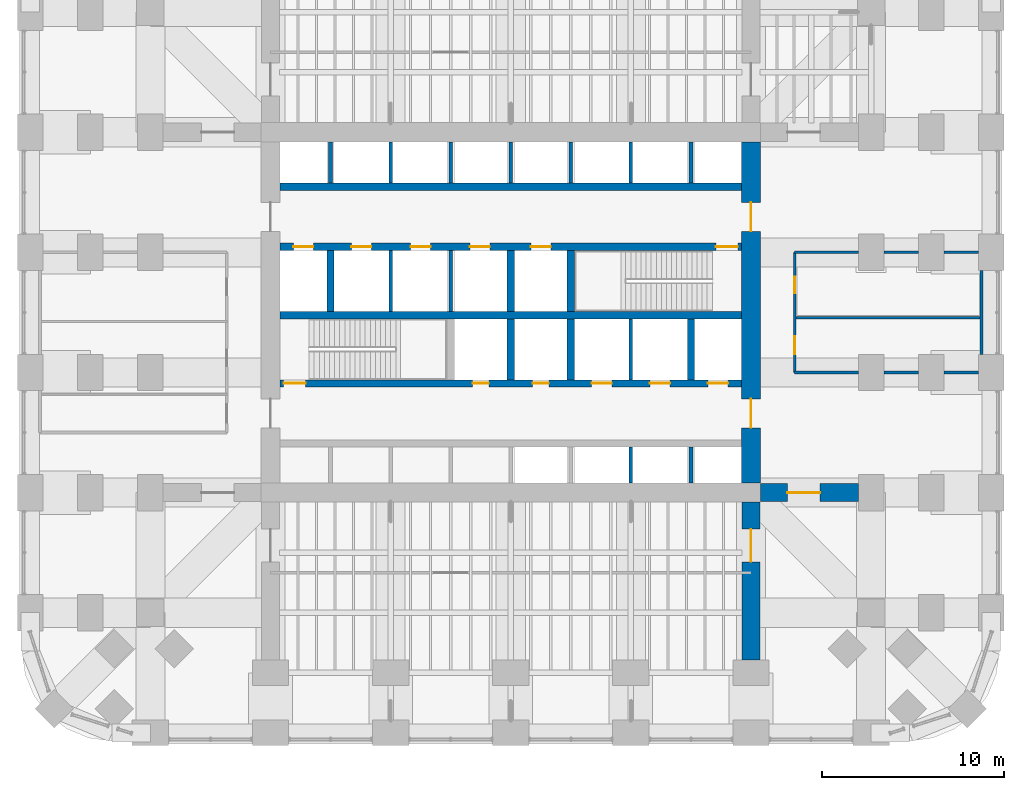
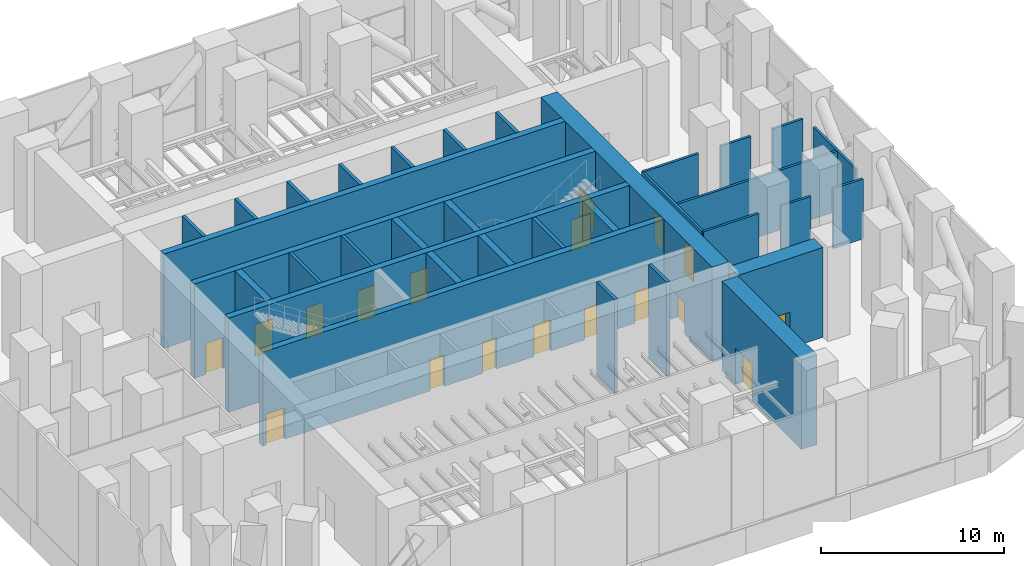
# One storey, part 14 of 17: 34 walls, 18 doors, 18 openings.
"""IFC4 building model written with IfcOpenShell, lengths in metres."""

from ifc_helpers import new_model, si_unit, direction, frame, frame_2d, origin, place, context, subcontext, project, spatial, rectangle, extrude, material, layer, layer_set, type_object, element, fill, save


model = new_model("IFC4")

# Units and contexts
model_context = context("Model", 3, precision=1e-05, world=origin(), true_north=direction((0.0, 1.0)))
body_context = subcontext(model_context, "Body", "Model", "MODEL_VIEW")
ifc_project = project(units=[si_unit("LENGTHUNIT", "METRE"), si_unit("AREAUNIT", "SQUARE_METRE"), si_unit("VOLUMEUNIT", "CUBIC_METRE"), si_unit("PLANEANGLEUNIT", "RADIAN"), si_unit("MASSUNIT", "GRAM", prefix="KILO")], contexts=[model_context])

# Site, building, storey
site_placement = place(None, origin())
site = spatial("IfcSite", under=ifc_project, at=site_placement, CompositionType="ELEMENT")
building_placement = place(site_placement, origin())
building = spatial("IfcBuilding", under=site, at=building_placement, Name="Cobogo Forest Laboratory Tower", CompositionType="ELEMENT")
storey_placement = place(building_placement, frame((0.0, 0.0, 75.89990234375)))
storey = spatial("IfcBuildingStorey", under=building, at=storey_placement, Name="L17", CompositionType="ELEMENT", Elevation=75.89990234375)

# Wall, openings, doors
ifc_material_1 = material(Name="Concrete HA-50 (C50/60)", Category="concrete")
ifc_layer_1 = layer(ifc_material_1, 0.39990234375)
ifc_layer_set_1 = layer_set([ifc_layer_1], Name="CI400 core inner wall 400")
wall_type_1 = type_object("IfcWallType", Name="CI400 core inner wall 400", PredefinedType="SHEAR", material=ifc_layer_set_1)
wall_1_placement = place(storey_placement, frame((13.72509765625, 19.199951171875, 0.0), z_axis=(0.0, 0.0, 1.0), x_axis=(1.0, 0.0, 0.0)))
wall_1 = element("IfcWall", 1, at=wall_1_placement, inside=storey, type_object=wall_type_1, Name="Core wall CI-19.2 L17", PredefinedType="SHEAR", context=body_context, shape_type="SweptSolid", body=[
    extrude(rectangle(XDim=25.349853515625, YDim=0.39990234375, at=frame_2d((12.6748046875, 0.0))), origin(), (0.0, 0.0, 1.0), 6.300048828125),
])
opening_1_placement = place(wall_1_placement, frame((10.574951171875, 0.0, 0.0)))
opening_1 = element("IfcOpeningElement", 2, at=opening_1_placement, cuts=wall_1, Name="Opening L17-D10", PredefinedType="OPENING", context=body_context, shape_type="SweptSolid", body=[
    extrude(rectangle(XDim=0.89990234375, YDim=2.10009765625, at=frame_2d((0.449951171875, 1.050048828125))), frame((0.0, 0.2099609375, 0.0), z_axis=(0.0, -1.0, 0.0), x_axis=(1.0, 0.0, 0.0)), (0.0, 0.0, 1.0), 0.419921875),
])
opening_2_placement = place(wall_1_placement, frame((13.875, 0.0, 0.0)))
opening_2 = element("IfcOpeningElement", 3, at=opening_2_placement, cuts=wall_1, Name="Opening L17-D11", PredefinedType="OPENING", context=body_context, shape_type="SweptSolid", body=[
    extrude(rectangle(XDim=0.89990234375, YDim=2.10009765625, at=frame_2d((0.449951171875, 1.050048828125))), frame((0.0, 0.2099609375, 0.0), z_axis=(0.0, -1.0, 0.0), x_axis=(1.0, 0.0, 0.0)), (0.0, 0.0, 1.0), 0.419921875),
])
opening_3_placement = place(wall_1_placement, frame((0.199951171875, 0.0, 0.0)))
opening_3 = element("IfcOpeningElement", 4, at=opening_3_placement, cuts=wall_1, Name="Opening L17-D09", PredefinedType="OPENING", context=body_context, shape_type="SweptSolid", body=[
    extrude(rectangle(XDim=1.199951171875, YDim=2.10009765625, at=frame_2d((0.60009765625, 1.050048828125))), frame((0.0, 0.2099609375, 0.0), z_axis=(0.0, -1.0, 0.0), x_axis=(1.0, 0.0, 0.0)), (0.0, 0.0, 1.0), 0.419921875),
])
opening_4_placement = place(wall_1_placement, frame((23.512451171875, 0.0, 0.0)))
opening_4 = element("IfcOpeningElement", 5, at=opening_4_placement, cuts=wall_1, Name="Opening L17-LD-FL2", PredefinedType="OPENING", context=body_context, shape_type="SweptSolid", body=[
    extrude(rectangle(XDim=1.10009765625, YDim=2.10009765625, at=frame_2d((0.550048828125, 1.050048828125))), frame((0.0, 0.2099609375, 0.0), z_axis=(0.0, -1.0, 0.0), x_axis=(1.0, 0.0, 0.0)), (0.0, 0.0, 1.0), 0.419921875),
])
opening_5_placement = place(wall_1_placement, frame((17.125, 0.0, 0.0)))
opening_5 = element("IfcOpeningElement", 6, at=opening_5_placement, cuts=wall_1, Name="Opening L17-LD-LS1", PredefinedType="OPENING", context=body_context, shape_type="SweptSolid", body=[
    extrude(rectangle(XDim=1.10009765625, YDim=2.10009765625, at=frame_2d((0.550048828125, 1.050048828125))), frame((0.0, 0.2099609375, 0.0), z_axis=(0.0, -1.0, 0.0), x_axis=(1.0, 0.0, 0.0)), (0.0, 0.0, 1.0), 0.419921875),
])
opening_6_placement = place(wall_1_placement, frame((20.324951171875, 0.0, 0.0)))
opening_6 = element("IfcOpeningElement", 7, at=opening_6_placement, cuts=wall_1, Name="Opening L17-LD-LS2", PredefinedType="OPENING", context=body_context, shape_type="SweptSolid", body=[
    extrude(rectangle(XDim=1.10009765625, YDim=2.10009765625, at=frame_2d((0.550048828125, 1.050048828125))), frame((0.0, 0.2099609375, 0.0), z_axis=(0.0, -1.0, 0.0), x_axis=(1.0, 0.0, 0.0)), (0.0, 0.0, 1.0), 0.419921875),
])
ifc_material_2 = material(Name="Steel fire door", Category="steel")
door_type_1 = type_object("IfcDoorType", Name="DS1 protected stair door 1200 EI2 60", OperationType="SINGLE_SWING_LEFT", PredefinedType="DOOR", material=ifc_material_2)
door_1_placement = place(opening_3_placement, origin())
door_1 = element("IfcDoor", 8, at=door_1_placement, inside=storey, type_object=door_type_1, Name="Door L17-ST1", OperationType="SINGLE_SWING_LEFT", OverallHeight=2.10009765625, OverallWidth=1.199951171875, PredefinedType="DOOR", context=body_context, shape_type="SweptSolid", body=[
    extrude(rectangle(XDim=1.199951171875, YDim=2.10009765625, at=frame_2d((0.60009765625, 1.050048828125))), frame((0.0, 0.02490234375, 0.0), z_axis=(0.0, -1.0, 0.0), x_axis=(1.0, 0.0, 0.0)), (0.0, 0.0, 1.0), 0.050048828125),
])
fill(opening_3, door_1)
door_type_2 = type_object("IfcDoorType", Name="FD4 riser access door 900 EI2 60", OperationType="SINGLE_SWING_LEFT", PredefinedType="DOOR", material=ifc_material_2)
door_2_placement = place(opening_1_placement, origin())
door_2 = element("IfcDoor", 9, at=door_2_placement, inside=storey, type_object=door_type_2, Name="Door L17-R1", OperationType="SINGLE_SWING_LEFT", OverallHeight=2.10009765625, OverallWidth=0.89990234375, PredefinedType="DOOR", context=body_context, shape_type="SweptSolid", body=[
    extrude(rectangle(XDim=0.89990234375, YDim=2.10009765625, at=frame_2d((0.449951171875, 1.050048828125))), frame((0.0, 0.02490234375, 0.0), z_axis=(0.0, -1.0, 0.0), x_axis=(1.0, 0.0, 0.0)), (0.0, 0.0, 1.0), 0.050048828125),
])
fill(opening_1, door_2)
door_3_placement = place(opening_2_placement, origin())
door_3 = element("IfcDoor", 10, at=door_3_placement, inside=storey, type_object=door_type_2, Name="Door L17-R2", OperationType="SINGLE_SWING_RIGHT", OverallHeight=2.10009765625, OverallWidth=0.89990234375, PredefinedType="DOOR", context=body_context, shape_type="SweptSolid", body=[
    extrude(rectangle(XDim=0.89990234375, YDim=2.10009765625, at=frame_2d((0.449951171875, 1.050048828125))), frame((0.0, 0.02490234375, 0.0), z_axis=(0.0, -1.0, 0.0), x_axis=(1.0, 0.0, 0.0)), (0.0, 0.0, 1.0), 0.050048828125),
])
fill(opening_2, door_3)
ifc_material_3 = material(Name="Stainless steel lift door", Category="steel")
door_type_3 = type_object("IfcDoorType", Name="LD lift landing door 1100", OperationType="DOUBLE_DOOR_SLIDING", PredefinedType="DOOR", material=ifc_material_3)
door_4_placement = place(opening_4_placement, origin())
door_4 = element("IfcDoor", 11, at=door_4_placement, inside=storey, type_object=door_type_3, Name="Lift landing door FL2 L17", OperationType="DOUBLE_DOOR_SLIDING", OverallHeight=2.10009765625, OverallWidth=1.10009765625, PredefinedType="DOOR", context=body_context, shape_type="SweptSolid", body=[
    extrude(rectangle(XDim=1.10009765625, YDim=2.10009765625, at=frame_2d((0.550048828125, 1.050048828125))), frame((0.0, 0.02490234375, 0.0), z_axis=(0.0, -1.0, 0.0), x_axis=(1.0, 0.0, 0.0)), (0.0, 0.0, 1.0), 0.050048828125),
])
fill(opening_4, door_4)
door_5_placement = place(opening_5_placement, origin())
door_5 = element("IfcDoor", 12, at=door_5_placement, inside=storey, type_object=door_type_3, Name="Lift landing door LS1 L17", OperationType="DOUBLE_DOOR_SLIDING", OverallHeight=2.10009765625, OverallWidth=1.10009765625, PredefinedType="DOOR", context=body_context, shape_type="SweptSolid", body=[
    extrude(rectangle(XDim=1.10009765625, YDim=2.10009765625, at=frame_2d((0.550048828125, 1.050048828125))), frame((0.0, 0.02490234375, 0.0), z_axis=(0.0, -1.0, 0.0), x_axis=(1.0, 0.0, 0.0)), (0.0, 0.0, 1.0), 0.050048828125),
])
fill(opening_5, door_5)
door_6_placement = place(opening_6_placement, origin())
door_6 = element("IfcDoor", 13, at=door_6_placement, inside=storey, type_object=door_type_3, Name="Lift landing door LS2 L17", OperationType="DOUBLE_DOOR_SLIDING", OverallHeight=2.10009765625, OverallWidth=1.10009765625, PredefinedType="DOOR", context=body_context, shape_type="SweptSolid", body=[
    extrude(rectangle(XDim=1.10009765625, YDim=2.10009765625, at=frame_2d((0.550048828125, 1.050048828125))), frame((0.0, 0.02490234375, 0.0), z_axis=(0.0, -1.0, 0.0), x_axis=(1.0, 0.0, 0.0)), (0.0, 0.0, 1.0), 0.050048828125),
])
fill(opening_6, door_6)

# Wall
wall_2_placement = place(storey_placement, frame((13.72509765625, 22.949951171875, 0.0), z_axis=(0.0, 0.0, 1.0), x_axis=(1.0, 0.0, 0.0)))
element("IfcWall", 14, at=wall_2_placement, inside=storey, type_object=wall_type_1, Name="Core wall CI-22.95 L17", PredefinedType="SHEAR", context=body_context, shape_type="SweptSolid", body=[
    extrude(rectangle(XDim=25.349853515625, YDim=0.39990234375, at=frame_2d((12.6748046875, 0.0))), origin(), (0.0, 0.0, 1.0), 6.300048828125),
])

# Wall, openings, doors
wall_3_placement = place(storey_placement, frame((13.72509765625, 26.699951171875, 0.0), z_axis=(0.0, 0.0, 1.0), x_axis=(1.0, 0.0, 0.0)))
wall_3 = element("IfcWall", 15, at=wall_3_placement, inside=storey, type_object=wall_type_1, Name="Core wall CI-26.7 L17", PredefinedType="SHEAR", context=body_context, shape_type="SweptSolid", body=[
    extrude(rectangle(XDim=25.349853515625, YDim=0.39990234375, at=frame_2d((12.6748046875, 0.0))), origin(), (0.0, 0.0, 1.0), 6.300048828125),
])
opening_7_placement = place(wall_3_placement, frame((23.949951171875, 0.0, 0.0)))
opening_7 = element("IfcOpeningElement", 16, at=opening_7_placement, cuts=wall_3, Name="Opening L17-D16", PredefinedType="OPENING", context=body_context, shape_type="SweptSolid", body=[
    extrude(rectangle(XDim=1.199951171875, YDim=2.10009765625, at=frame_2d((0.60009765625, 1.050048828125))), frame((0.0, 0.2099609375, 0.0), z_axis=(0.0, -1.0, 0.0), x_axis=(1.0, 0.0, 0.0)), (0.0, 0.0, 1.0), 0.419921875),
])
opening_8_placement = place(wall_3_placement, frame((0.737548828125, 0.0, 0.0)))
opening_8 = element("IfcOpeningElement", 17, at=opening_8_placement, cuts=wall_3, Name="Opening L17-LD-FL1", PredefinedType="OPENING", context=body_context, shape_type="SweptSolid", body=[
    extrude(rectangle(XDim=1.10009765625, YDim=2.10009765625, at=frame_2d((0.550048828125, 1.050048828125))), frame((0.0, 0.2099609375, 0.0), z_axis=(0.0, -1.0, 0.0), x_axis=(1.0, 0.0, 0.0)), (0.0, 0.0, 1.0), 0.419921875),
])
opening_9_placement = place(wall_3_placement, frame((3.925048828125, 0.0, 0.0)))
opening_9 = element("IfcOpeningElement", 18, at=opening_9_placement, cuts=wall_3, Name="Opening L17-LD-LS3", PredefinedType="OPENING", context=body_context, shape_type="SweptSolid", body=[
    extrude(rectangle(XDim=1.10009765625, YDim=2.10009765625, at=frame_2d((0.550048828125, 1.050048828125))), frame((0.0, 0.2099609375, 0.0), z_axis=(0.0, -1.0, 0.0), x_axis=(1.0, 0.0, 0.0)), (0.0, 0.0, 1.0), 0.419921875),
])
opening_10_placement = place(wall_3_placement, frame((7.175048828125, 0.0, 0.0)))
opening_10 = element("IfcOpeningElement", 19, at=opening_10_placement, cuts=wall_3, Name="Opening L17-LD-LS4", PredefinedType="OPENING", context=body_context, shape_type="SweptSolid", body=[
    extrude(rectangle(XDim=1.10009765625, YDim=2.10009765625, at=frame_2d((0.550048828125, 1.050048828125))), frame((0.0, 0.2099609375, 0.0), z_axis=(0.0, -1.0, 0.0), x_axis=(1.0, 0.0, 0.0)), (0.0, 0.0, 1.0), 0.419921875),
])
opening_11_placement = place(wall_3_placement, frame((10.425048828125, 0.0, 0.0)))
opening_11 = element("IfcOpeningElement", 20, at=opening_11_placement, cuts=wall_3, Name="Opening L17-LD-LS5", PredefinedType="OPENING", context=body_context, shape_type="SweptSolid", body=[
    extrude(rectangle(XDim=1.10009765625, YDim=2.10009765625, at=frame_2d((0.550048828125, 1.050048828125))), frame((0.0, 0.2099609375, 0.0), z_axis=(0.0, -1.0, 0.0), x_axis=(1.0, 0.0, 0.0)), (0.0, 0.0, 1.0), 0.419921875),
])
opening_12_placement = place(wall_3_placement, frame((13.77490234375, 0.0, 0.0)))
opening_12 = element("IfcOpeningElement", 21, at=opening_12_placement, cuts=wall_3, Name="Opening L17-LD-LS6", PredefinedType="OPENING", context=body_context, shape_type="SweptSolid", body=[
    extrude(rectangle(XDim=1.10009765625, YDim=2.10009765625, at=frame_2d((0.550048828125, 1.050048828125))), frame((0.0, 0.2099609375, 0.0), z_axis=(0.0, -1.0, 0.0), x_axis=(1.0, 0.0, 0.0)), (0.0, 0.0, 1.0), 0.419921875),
])
door_7_placement = place(opening_7_placement, origin())
door_7 = element("IfcDoor", 22, at=door_7_placement, inside=storey, type_object=door_type_1, Name="Door L17-ST2", OperationType="SINGLE_SWING_RIGHT", OverallHeight=2.10009765625, OverallWidth=1.199951171875, PredefinedType="DOOR", context=body_context, shape_type="SweptSolid", body=[
    extrude(rectangle(XDim=1.199951171875, YDim=2.10009765625, at=frame_2d((0.60009765625, 1.050048828125))), frame((0.0, 0.02490234375, 0.0), z_axis=(0.0, -1.0, 0.0), x_axis=(1.0, 0.0, 0.0)), (0.0, 0.0, 1.0), 0.050048828125),
])
fill(opening_7, door_7)
door_8_placement = place(opening_8_placement, origin())
door_8 = element("IfcDoor", 23, at=door_8_placement, inside=storey, type_object=door_type_3, Name="Lift landing door FL1 L17", OperationType="DOUBLE_DOOR_SLIDING", OverallHeight=2.10009765625, OverallWidth=1.10009765625, PredefinedType="DOOR", context=body_context, shape_type="SweptSolid", body=[
    extrude(rectangle(XDim=1.10009765625, YDim=2.10009765625, at=frame_2d((0.550048828125, 1.050048828125))), frame((0.0, 0.02490234375, 0.0), z_axis=(0.0, -1.0, 0.0), x_axis=(1.0, 0.0, 0.0)), (0.0, 0.0, 1.0), 0.050048828125),
])
fill(opening_8, door_8)
door_9_placement = place(opening_9_placement, origin())
door_9 = element("IfcDoor", 24, at=door_9_placement, inside=storey, type_object=door_type_3, Name="Lift landing door LS3 L17", OperationType="DOUBLE_DOOR_SLIDING", OverallHeight=2.10009765625, OverallWidth=1.10009765625, PredefinedType="DOOR", context=body_context, shape_type="SweptSolid", body=[
    extrude(rectangle(XDim=1.10009765625, YDim=2.10009765625, at=frame_2d((0.550048828125, 1.050048828125))), frame((0.0, 0.02490234375, 0.0), z_axis=(0.0, -1.0, 0.0), x_axis=(1.0, 0.0, 0.0)), (0.0, 0.0, 1.0), 0.050048828125),
])
fill(opening_9, door_9)
door_10_placement = place(opening_10_placement, origin())
door_10 = element("IfcDoor", 25, at=door_10_placement, inside=storey, type_object=door_type_3, Name="Lift landing door LS4 L17", OperationType="DOUBLE_DOOR_SLIDING", OverallHeight=2.10009765625, OverallWidth=1.10009765625, PredefinedType="DOOR", context=body_context, shape_type="SweptSolid", body=[
    extrude(rectangle(XDim=1.10009765625, YDim=2.10009765625, at=frame_2d((0.550048828125, 1.050048828125))), frame((0.0, 0.02490234375, 0.0), z_axis=(0.0, -1.0, 0.0), x_axis=(1.0, 0.0, 0.0)), (0.0, 0.0, 1.0), 0.050048828125),
])
fill(opening_10, door_10)
door_11_placement = place(opening_11_placement, origin())
door_11 = element("IfcDoor", 26, at=door_11_placement, inside=storey, type_object=door_type_3, Name="Lift landing door LS5 L17", OperationType="DOUBLE_DOOR_SLIDING", OverallHeight=2.10009765625, OverallWidth=1.10009765625, PredefinedType="DOOR", context=body_context, shape_type="SweptSolid", body=[
    extrude(rectangle(XDim=1.10009765625, YDim=2.10009765625, at=frame_2d((0.550048828125, 1.050048828125))), frame((0.0, 0.02490234375, 0.0), z_axis=(0.0, -1.0, 0.0), x_axis=(1.0, 0.0, 0.0)), (0.0, 0.0, 1.0), 0.050048828125),
])
fill(opening_11, door_11)
door_12_placement = place(opening_12_placement, origin())
door_12 = element("IfcDoor", 27, at=door_12_placement, inside=storey, type_object=door_type_3, Name="Lift landing door LS6 L17", OperationType="DOUBLE_DOOR_SLIDING", OverallHeight=2.10009765625, OverallWidth=1.10009765625, PredefinedType="DOOR", context=body_context, shape_type="SweptSolid", body=[
    extrude(rectangle(XDim=1.10009765625, YDim=2.10009765625, at=frame_2d((0.550048828125, 1.050048828125))), frame((0.0, 0.02490234375, 0.0), z_axis=(0.0, -1.0, 0.0), x_axis=(1.0, 0.0, 0.0)), (0.0, 0.0, 1.0), 0.050048828125),
])
fill(opening_12, door_12)

# Walls
wall_4_placement = place(storey_placement, frame((13.72509765625, 30.0, 0.0), z_axis=(0.0, 0.0, 1.0), x_axis=(1.0, 0.0, 0.0)))
element("IfcWall", 28, at=wall_4_placement, inside=storey, type_object=wall_type_1, Name="Core wall CI-30.0 L17", PredefinedType="SHEAR", context=body_context, shape_type="SweptSolid", body=[
    extrude(rectangle(XDim=25.349853515625, YDim=0.39990234375, at=frame_2d((12.6748046875, 0.0))), origin(), (0.0, 0.0, 1.0), 6.300048828125),
])
for number, where, z_axis, x_axis, name in (
    (29, (26.39990234375, 19.39990234375, 0.0), (0.0, 0.0, 1.0), (0.0, 1.0, 0.0), "Core wall CX-26.4S L17"),
    (30, (29.699951171875, 19.39990234375, 0.0), (0.0, 0.0, 1.0), (0.0, 1.0, 0.0), "Core wall CX-29.7S L17"),
    (31, (36.300048828125, 19.39990234375, 0.0), (0.0, 0.0, 1.0), (0.0, 1.0, 0.0), "Core wall CX-36.3 L17"),
    (32, (16.5, 23.14990234375, 0.0), (0.0, 0.0, 1.0), (0.0, 1.0, 0.0), "Core wall CX-16.5 L17"),
    (33, (26.39990234375, 23.14990234375, 0.0), (0.0, 0.0, 1.0), (0.0, 1.0, 0.0), "Core wall CX-26.4N L17"),
    (34, (29.699951171875, 23.14990234375, 0.0), (0.0, 0.0, 1.0), (0.0, 1.0, 0.0), "Core wall CX-29.7N L17"),
):
    element("IfcWall", number, at=place(storey_placement, frame(where, z_axis=z_axis, x_axis=x_axis)), inside=storey, type_object=wall_type_1, Name=name, PredefinedType="SHEAR", context=body_context, shape_type="SweptSolid", body=[
        extrude(rectangle(XDim=3.35009765625, YDim=0.39990234375, at=frame_2d((1.675048828125, 0.0))), origin(), (0.0, 0.0, 1.0), 6.300048828125),
    ])

# Wall, openings, doors
ifc_layer_2 = layer(ifc_material_1, 1.050048828125)
ifc_layer_set_2 = layer_set([ifc_layer_2], Name="CW1050 core outer wall 1050")
wall_type_2 = type_object("IfcWallType", Name="CW1050 core outer wall 1050", PredefinedType="SHEAR", material=ifc_layer_set_2)
wall_5_placement = place(storey_placement, frame((39.60009765625, 13.72509765625, 0.0), z_axis=(0.0, 0.0, 1.0), x_axis=(0.0, 1.0, 0.0)))
wall_5 = element("IfcWall", 35, at=wall_5_placement, inside=storey, type_object=wall_type_2, Name="Core wall CO-E L17", PredefinedType="SHEAR", context=body_context, shape_type="SweptSolid", body=[
    extrude(rectangle(XDim=18.75, YDim=1.050048828125, at=frame_2d((9.375, 0.0))), origin(), (0.0, 0.0, 1.0), 6.300048828125),
])
opening_13_placement = place(wall_5_placement, frame((3.02490234375, 0.0, 0.0)))
opening_13 = element("IfcOpeningElement", 36, at=opening_13_placement, cuts=wall_5, Name="Opening L17-D08", PredefinedType="OPENING", context=body_context, shape_type="SweptSolid", body=[
    extrude(rectangle(XDim=1.60009765625, YDim=2.10009765625, at=frame_2d((0.800048828125, 1.050048828125))), frame((0.0, 0.534912109375, 0.0), z_axis=(0.0, -1.0, 0.0), x_axis=(1.0, 0.0, 0.0)), (0.0, 0.0, 1.0), 1.070068359375),
])
opening_14_placement = place(wall_5_placement, frame((13.824951171875, 0.0, 0.0)))
opening_14 = element("IfcOpeningElement", 37, at=opening_14_placement, cuts=wall_5, Name="Opening L17-D18", PredefinedType="OPENING", context=body_context, shape_type="SweptSolid", body=[
    extrude(rectangle(XDim=1.60009765625, YDim=2.10009765625, at=frame_2d((0.800048828125, 1.050048828125))), frame((0.0, 0.534912109375, 0.0), z_axis=(0.0, -1.0, 0.0), x_axis=(1.0, 0.0, 0.0)), (0.0, 0.0, 1.0), 1.070068359375),
])
door_type_4 = type_object("IfcDoorType", Name="DS2 protected lobby door pair 1600 EI2 60", OperationType="DOUBLE_DOOR_DOUBLE_SWING", PredefinedType="DOOR", material=ifc_material_2)
door_13_placement = place(opening_13_placement, origin())
door_13 = element("IfcDoor", 38, at=door_13_placement, inside=storey, type_object=door_type_4, Name="Door L17-CO-E-S", OperationType="DOUBLE_DOOR_DOUBLE_SWING", OverallHeight=2.10009765625, OverallWidth=1.60009765625, PredefinedType="DOOR", context=body_context, shape_type="SweptSolid", body=[
    extrude(rectangle(XDim=1.60009765625, YDim=2.10009765625, at=frame_2d((0.800048828125, 1.050048828125))), frame((0.0, 0.02490234375, 0.0), z_axis=(0.0, -1.0, 0.0), x_axis=(1.0, 0.0, 0.0)), (0.0, 0.0, 1.0), 0.050048828125),
])
fill(opening_13, door_13)
door_14_placement = place(opening_14_placement, origin())
door_14 = element("IfcDoor", 39, at=door_14_placement, inside=storey, type_object=door_type_4, Name="Door L17-CO-E-N", OperationType="DOUBLE_DOOR_DOUBLE_SWING", OverallHeight=2.10009765625, OverallWidth=1.60009765625, PredefinedType="DOOR", context=body_context, shape_type="SweptSolid", body=[
    extrude(rectangle(XDim=1.60009765625, YDim=2.10009765625, at=frame_2d((0.800048828125, 1.050048828125))), frame((0.0, 0.02490234375, 0.0), z_axis=(0.0, -1.0, 0.0), x_axis=(1.0, 0.0, 0.0)), (0.0, 0.0, 1.0), 0.050048828125),
])
fill(opening_14, door_14)

# Wall, opening, door
ifc_layer_3 = layer(ifc_material_1, 1.0)
ifc_layer_set_3 = layer_set([ifc_layer_3], Name="Outrigger wall 1000")
wall_type_3 = type_object("IfcWallType", Name="Outrigger wall 1000", PredefinedType="SHEAR", material=ifc_layer_set_3)
wall_6_placement = place(storey_placement, frame((39.60009765625, 12.675048828125, 0.0), z_axis=(0.0, 0.0, 1.0), x_axis=(0.0, -1.0, 0.0)))
wall_6 = element("IfcWall", 40, at=wall_6_placement, inside=storey, type_object=wall_type_3, Name="Outrigger wall OR-S7 L17", PredefinedType="SHEAR", context=body_context, shape_type="SweptSolid", body=[
    extrude(rectangle(XDim=8.675048828125, YDim=1.0, at=frame_2d((4.33740234375, 0.0))), origin(), (0.0, 0.0, 1.0), 6.0),
])
opening_15_placement = place(wall_6_placement, frame((1.47509765625, 0.0, 0.0)))
opening_15 = element("IfcOpeningElement", 41, at=opening_15_placement, cuts=wall_6, Name="Opening L17-D03", PredefinedType="OPENING", context=body_context, shape_type="SweptSolid", body=[
    extrude(rectangle(XDim=1.800048828125, YDim=2.39990234375, at=frame_2d((0.89990234375, 1.199951171875))), frame((0.0, 0.510009765625, 0.0), z_axis=(0.0, -1.0, 0.0), x_axis=(1.0, 0.0, 0.0)), (0.0, 0.0, 1.0), 1.02001953125),
])
door_type_5 = type_object("IfcDoorType", Name="PD1 plant door pair 1800 EI2 60", OperationType="DOUBLE_DOOR_SINGLE_SWING", PredefinedType="DOOR", material=ifc_material_2)
door_15_placement = place(opening_15_placement, origin())
door_15 = element("IfcDoor", 42, at=door_15_placement, inside=storey, type_object=door_type_5, Name="Door L17-OR-S7", OperationType="DOUBLE_DOOR_SINGLE_SWING", OverallHeight=2.39990234375, OverallWidth=1.800048828125, PredefinedType="DOOR", context=body_context, shape_type="SweptSolid", body=[
    extrude(rectangle(XDim=1.800048828125, YDim=2.39990234375, at=frame_2d((0.89990234375, 1.199951171875))), frame((0.0, 0.02490234375, 0.0), z_axis=(0.0, -1.0, 0.0), x_axis=(1.0, 0.0, 0.0)), (0.0, 0.0, 1.0), 0.050048828125),
])
fill(opening_15, door_15)

wall_7_placement = place(storey_placement, frame((40.125, 13.199951171875, 0.0), z_axis=(0.0, 0.0, 1.0), x_axis=(1.0, 0.0, 0.0)))
wall_7 = element("IfcWall", 43, at=wall_7_placement, inside=storey, type_object=wall_type_3, Name="Outrigger wall OR-EC L17", PredefinedType="SHEAR", context=body_context, shape_type="SweptSolid", body=[
    extrude(rectangle(XDim=5.375, YDim=1.0, at=frame_2d((2.6875, 0.0))), origin(), (0.0, 0.0, 1.0), 6.0),
])
opening_16_placement = place(wall_7_placement, frame((1.47509765625, 0.0, 0.0)))
opening_16 = element("IfcOpeningElement", 44, at=opening_16_placement, cuts=wall_7, Name="Opening L17-D05", PredefinedType="OPENING", context=body_context, shape_type="SweptSolid", body=[
    extrude(rectangle(XDim=1.800048828125, YDim=2.39990234375, at=frame_2d((0.89990234375, 1.199951171875))), frame((0.0, 0.510009765625, 0.0), z_axis=(0.0, -1.0, 0.0), x_axis=(1.0, 0.0, 0.0)), (0.0, 0.0, 1.0), 1.02001953125),
])
door_16_placement = place(opening_16_placement, origin())
door_16 = element("IfcDoor", 45, at=door_16_placement, inside=storey, type_object=door_type_5, Name="Door L17-OR-EC", OperationType="DOUBLE_DOOR_SINGLE_SWING", OverallHeight=2.39990234375, OverallWidth=1.800048828125, PredefinedType="DOOR", context=body_context, shape_type="SweptSolid", body=[
    extrude(rectangle(XDim=1.800048828125, YDim=2.39990234375, at=frame_2d((0.89990234375, 1.199951171875))), frame((0.0, 0.02490234375, 0.0), z_axis=(0.0, -1.0, 0.0), x_axis=(1.0, 0.0, 0.0)), (0.0, 0.0, 1.0), 0.050048828125),
])
fill(opening_16, door_16)

# Walls
ifc_material_4 = material(Name="Gypsum board on steel studs", Category="steel")
ifc_layer_4 = layer(ifc_material_4, 0.14990234375)
ifc_layer_set_4 = layer_set([ifc_layer_4], Name="PT1 laboratory partition 150")
wall_type_4 = type_object("IfcWallType", Name="PT1 laboratory partition 150", PredefinedType="PARTITIONING", material=ifc_layer_set_4)
for number, where, z_axis, x_axis, name in (
    (46, (52.10009765625, 19.800048828125, 0.0), (0.0, 0.0, 1.0), (-1.0, 0.0, 0.0), "Partition POD-ELEC-S-1 L17"),
    (47, (48.800048828125, 19.800048828125, 0.0), (0.0, 0.0, 1.0), (-1.0, 0.0, 0.0), "Partition POD-ELEC-S-2 L17"),
):
    element("IfcWall", number, at=place(storey_placement, frame(where, z_axis=z_axis, x_axis=x_axis)), inside=storey, type_object=wall_type_4, Name=name, PredefinedType="PARTITIONING", context=body_context, shape_type="SweptSolid", body=[
        extrude(rectangle(XDim=1.900146484375, YDim=0.14990234375, at=frame_2d((0.9501953125, 0.0))), origin(), (0.0, 0.0, 1.0), 4.0),
    ])
for number, where, z_axis, x_axis, name in (
    (48, (45.5, 19.800048828125, 0.0), (0.0, 0.0, 1.0), (-1.0, 0.0, 0.0), "Partition POD-ELEC-S-3 L17"),
    (49, (42.0, 26.39990234375, 0.0), (0.0, 0.0, 1.0), (1.0, 0.0, 0.0), "Partition POD-ELEC-N-1 L17"),
):
    element("IfcWall", number, at=place(storey_placement, frame(where, z_axis=z_axis, x_axis=x_axis)), inside=storey, type_object=wall_type_4, Name=name, PredefinedType="PARTITIONING", context=body_context, shape_type="SweptSolid", body=[
        extrude(rectangle(XDim=3.5, YDim=0.14990234375, at=frame_2d((1.75, 0.0))), origin(), (0.0, 0.0, 1.0), 4.0),
    ])
for number, where, z_axis, x_axis, name in (
    (50, (46.89990234375, 26.39990234375, 0.0), (0.0, 0.0, 1.0), (1.0, 0.0, 0.0), "Partition POD-ELEC-N-2 L17"),
    (51, (50.199951171875, 26.39990234375, 0.0), (0.0, 0.0, 1.0), (1.0, 0.0, 0.0), "Partition POD-ELEC-N-3 L17"),
):
    element("IfcWall", number, at=place(storey_placement, frame(where, z_axis=z_axis, x_axis=x_axis)), inside=storey, type_object=wall_type_4, Name=name, PredefinedType="PARTITIONING", context=body_context, shape_type="SweptSolid", body=[
        extrude(rectangle(XDim=1.900146484375, YDim=0.14990234375, at=frame_2d((0.9501953125, 0.0))), origin(), (0.0, 0.0, 1.0), 4.0),
    ])

# Wall, openings, doors
wall_8_placement = place(storey_placement, frame((42.0, 19.800048828125, 0.0), z_axis=(0.0, 0.0, 1.0), x_axis=(0.0, 1.0, 0.0)))
wall_8 = element("IfcWall", 52, at=wall_8_placement, inside=storey, type_object=wall_type_4, Name="Partition POD-ELEC-W-1 L17", PredefinedType="PARTITIONING", context=body_context, shape_type="SweptSolid", body=[
    extrude(rectangle(XDim=6.599853515625, YDim=0.14990234375, at=frame_2d((3.2998046875, 0.0))), origin(), (0.0, 0.0, 1.0), 4.0),
])
opening_17_placement = place(wall_8_placement, frame((1.0, 0.0, 0.0)))
opening_17 = element("IfcOpeningElement", 53, at=opening_17_placement, cuts=wall_8, Name="Opening L17-D13", PredefinedType="OPENING", context=body_context, shape_type="SweptSolid", body=[
    extrude(rectangle(XDim=1.0, YDim=2.10009765625, at=frame_2d((0.5, 1.050048828125))), frame((0.0, 0.0849609375, 0.0), z_axis=(0.0, -1.0, 0.0), x_axis=(1.0, 0.0, 0.0)), (0.0, 0.0, 1.0), 0.169921875),
])
opening_18_placement = place(wall_8_placement, frame((4.35009765625, 0.0, 0.0)))
opening_18 = element("IfcOpeningElement", 54, at=opening_18_placement, cuts=wall_8, Name="Opening L17-D15", PredefinedType="OPENING", context=body_context, shape_type="SweptSolid", body=[
    extrude(rectangle(XDim=0.89990234375, YDim=2.10009765625, at=frame_2d((0.449951171875, 1.050048828125))), frame((0.0, 0.0849609375, 0.0), z_axis=(0.0, -1.0, 0.0), x_axis=(1.0, 0.0, 0.0)), (0.0, 0.0, 1.0), 0.169921875),
])
door_type_6 = type_object("IfcDoorType", Name="FD1 fire door 1000 EI2 60", OperationType="SINGLE_SWING_LEFT", PredefinedType="DOOR", material=ifc_material_2)
door_17_placement = place(opening_17_placement, origin())
door_17 = element("IfcDoor", 55, at=door_17_placement, inside=storey, type_object=door_type_6, Name="Door L17-ELEC", OperationType="SINGLE_SWING_LEFT", OverallHeight=2.10009765625, OverallWidth=1.0, PredefinedType="DOOR", context=body_context, shape_type="SweptSolid", body=[
    extrude(rectangle(XDim=1.0, YDim=2.10009765625, at=frame_2d((0.5, 1.050048828125))), frame((0.0, 0.02490234375, 0.0), z_axis=(0.0, -1.0, 0.0), x_axis=(1.0, 0.0, 0.0)), (0.0, 0.0, 1.0), 0.050048828125),
])
fill(opening_17, door_17)
door_18_placement = place(opening_18_placement, origin())
door_18 = element("IfcDoor", 56, at=door_18_placement, inside=storey, type_object=door_type_2, Name="Door L17-COMMS", OperationType="SINGLE_SWING_RIGHT", OverallHeight=2.10009765625, OverallWidth=0.89990234375, PredefinedType="DOOR", context=body_context, shape_type="SweptSolid", body=[
    extrude(rectangle(XDim=0.89990234375, YDim=2.10009765625, at=frame_2d((0.449951171875, 1.050048828125))), frame((0.0, 0.02490234375, 0.0), z_axis=(0.0, -1.0, 0.0), x_axis=(1.0, 0.0, 0.0)), (0.0, 0.0, 1.0), 0.050048828125),
])
fill(opening_18, door_18)

# Walls
wall_9_placement = place(storey_placement, frame((52.264892578125, 25.39990234375, 0.0), z_axis=(0.0, 0.0, 1.0), x_axis=(0.0, -1.0, 0.0)))
element("IfcWall", 57, at=wall_9_placement, inside=storey, type_object=wall_type_4, Name="Partition POD-ELEC-E-1 L17", PredefinedType="PARTITIONING", context=body_context, shape_type="SweptSolid", body=[
    extrude(rectangle(XDim=4.599853515625, YDim=0.14990234375, at=frame_2d((2.2998046875, 0.0))), origin(), (0.0, 0.0, 1.0), 4.0),
])
wall_10_placement = place(storey_placement, frame((42.0, 22.800048828125, 0.0), z_axis=(0.0, 0.0, 1.0), x_axis=(1.0, 0.0, 0.0)))
element("IfcWall", 58, at=wall_10_placement, inside=storey, type_object=wall_type_4, Name="Partition POD-ELEC-1-1 L17", PredefinedType="PARTITIONING", context=body_context, shape_type="SweptSolid", body=[
    extrude(rectangle(XDim=10.264892578125, YDim=0.14990234375, at=frame_2d((5.13232421875, 0.0))), origin(), (0.0, 0.0, 1.0), 4.0),
])
ifc_material_5 = material(Name="Concrete block", Category="concrete")
ifc_layer_5 = layer(ifc_material_5, 0.199951171875)
ifc_layer_set_5 = layer_set([ifc_layer_5], Name="SW200 lift shaft separator 200")
wall_type_5 = type_object("IfcWallType", Name="SW200 lift shaft separator 200", PredefinedType="PARTITIONING", material=ifc_layer_set_5)
for number, where, z_axis, x_axis, name in (
    (59, (16.5, 30.199951171875, 0.0), (0.0, 0.0, 1.0), (0.0, 1.0, 0.0), "Core wall SEP-N1 L17"),
    (60, (19.800048828125, 30.199951171875, 0.0), (0.0, 0.0, 1.0), (0.0, 1.0, 0.0), "Core wall SEP-N2 L17"),
    (61, (23.10009765625, 30.199951171875, 0.0), (0.0, 0.0, 1.0), (0.0, 1.0, 0.0), "Core wall SEP-N3 L17"),
    (62, (26.39990234375, 30.199951171875, 0.0), (0.0, 0.0, 1.0), (0.0, 1.0, 0.0), "Core wall SEP-N4 L17"),
    (63, (29.699951171875, 30.199951171875, 0.0), (0.0, 0.0, 1.0), (0.0, 1.0, 0.0), "Core wall SEP-N5 L17"),
):
    element("IfcWall", number, at=place(storey_placement, frame(where, z_axis=z_axis, x_axis=x_axis)), inside=storey, type_object=wall_type_5, Name=name, PredefinedType="PARTITIONING", context=body_context, shape_type="SweptSolid", body=[
        extrude(rectangle(XDim=2.275146484375, YDim=0.199951171875, at=frame_2d((1.1376953125, 0.0))), origin(), (0.0, 0.0, 1.0), 6.300048828125),
    ])
wall_11_placement = place(storey_placement, frame((33.0, 13.72509765625, 0.0), z_axis=(0.0, 0.0, 1.0), x_axis=(0.0, 1.0, 0.0)))
element("IfcWall", 64, at=wall_11_placement, inside=storey, type_object=wall_type_5, Name="Core wall SEP-S6 L17", PredefinedType="PARTITIONING", context=body_context, shape_type="SweptSolid", body=[
    extrude(rectangle(XDim=1.974853515625, YDim=0.199951171875, at=frame_2d((0.9873046875, 0.0))), origin(), (0.0, 0.0, 1.0), 6.300048828125),
])
wall_12_placement = place(storey_placement, frame((33.0, 30.199951171875, 0.0), z_axis=(0.0, 0.0, 1.0), x_axis=(0.0, 1.0, 0.0)))
element("IfcWall", 65, at=wall_12_placement, inside=storey, type_object=wall_type_5, Name="Core wall SEP-N6 L17", PredefinedType="PARTITIONING", context=body_context, shape_type="SweptSolid", body=[
    extrude(rectangle(XDim=2.275146484375, YDim=0.199951171875, at=frame_2d((1.1376953125, 0.0))), origin(), (0.0, 0.0, 1.0), 6.300048828125),
])
wall_13_placement = place(storey_placement, frame((36.300048828125, 13.72509765625, 0.0), z_axis=(0.0, 0.0, 1.0), x_axis=(0.0, 1.0, 0.0)))
element("IfcWall", 66, at=wall_13_placement, inside=storey, type_object=wall_type_5, Name="Core wall SEP-S7 L17", PredefinedType="PARTITIONING", context=body_context, shape_type="SweptSolid", body=[
    extrude(rectangle(XDim=1.974853515625, YDim=0.199951171875, at=frame_2d((0.9873046875, 0.0))), origin(), (0.0, 0.0, 1.0), 6.300048828125),
])
wall_14_placement = place(storey_placement, frame((36.300048828125, 30.199951171875, 0.0), z_axis=(0.0, 0.0, 1.0), x_axis=(0.0, 1.0, 0.0)))
element("IfcWall", 67, at=wall_14_placement, inside=storey, type_object=wall_type_5, Name="Core wall SEP-N7 L17", PredefinedType="PARTITIONING", context=body_context, shape_type="SweptSolid", body=[
    extrude(rectangle(XDim=2.275146484375, YDim=0.199951171875, at=frame_2d((1.1376953125, 0.0))), origin(), (0.0, 0.0, 1.0), 6.300048828125),
])
for number, where, z_axis, x_axis, name in (
    (68, (33.0, 19.39990234375, 0.0), (0.0, 0.0, 1.0), (0.0, 1.0, 0.0), "Core wall SEP-M33.0 L17"),
    (69, (19.800048828125, 23.14990234375, 0.0), (0.0, 0.0, 1.0), (0.0, 1.0, 0.0), "Core wall SEP-M19.8 L17"),
    (70, (23.10009765625, 23.14990234375, 0.0), (0.0, 0.0, 1.0), (0.0, 1.0, 0.0), "Core wall SEP-M23.1 L17"),
):
    element("IfcWall", number, at=place(storey_placement, frame(where, z_axis=z_axis, x_axis=x_axis)), inside=storey, type_object=wall_type_5, Name=name, PredefinedType="PARTITIONING", context=body_context, shape_type="SweptSolid", body=[
        extrude(rectangle(XDim=3.35009765625, YDim=0.199951171875, at=frame_2d((1.675048828125, 0.0))), origin(), (0.0, 0.0, 1.0), 6.300048828125),
    ])

save(model, "model.ifc")
